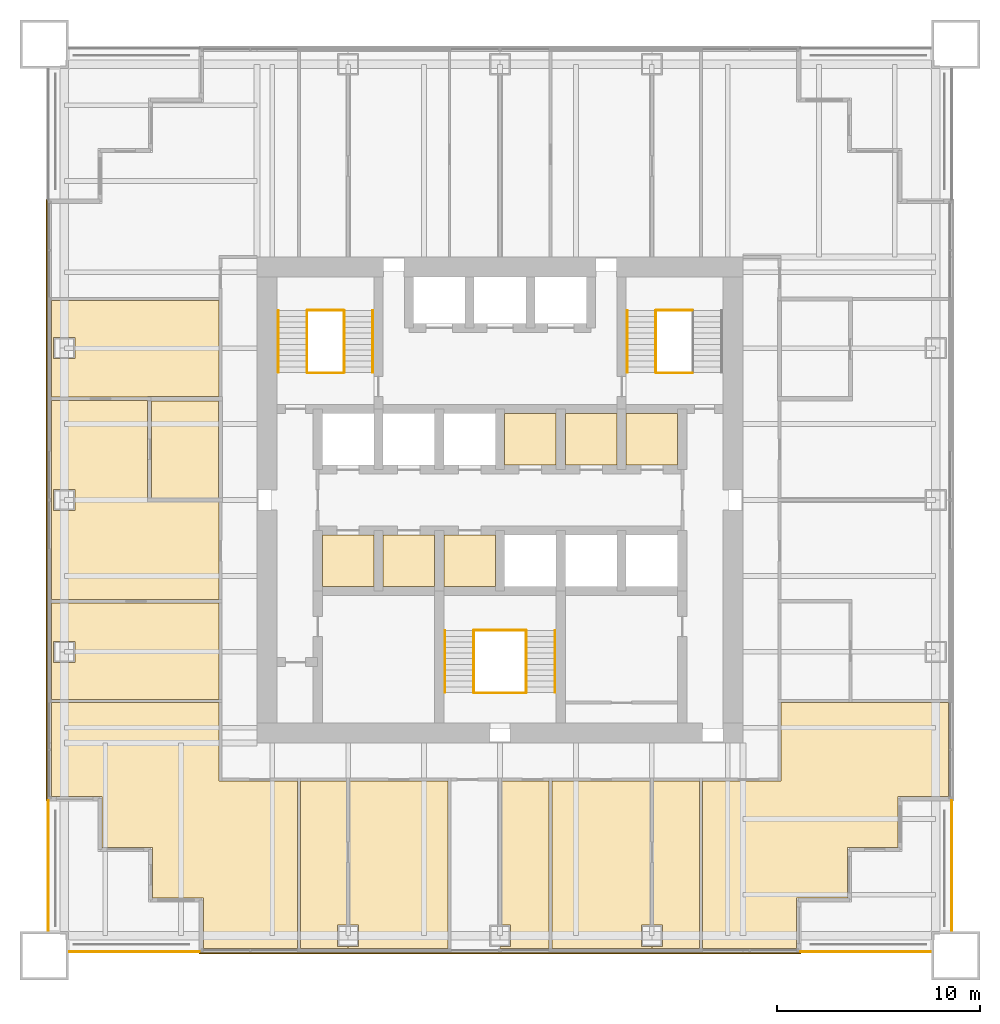
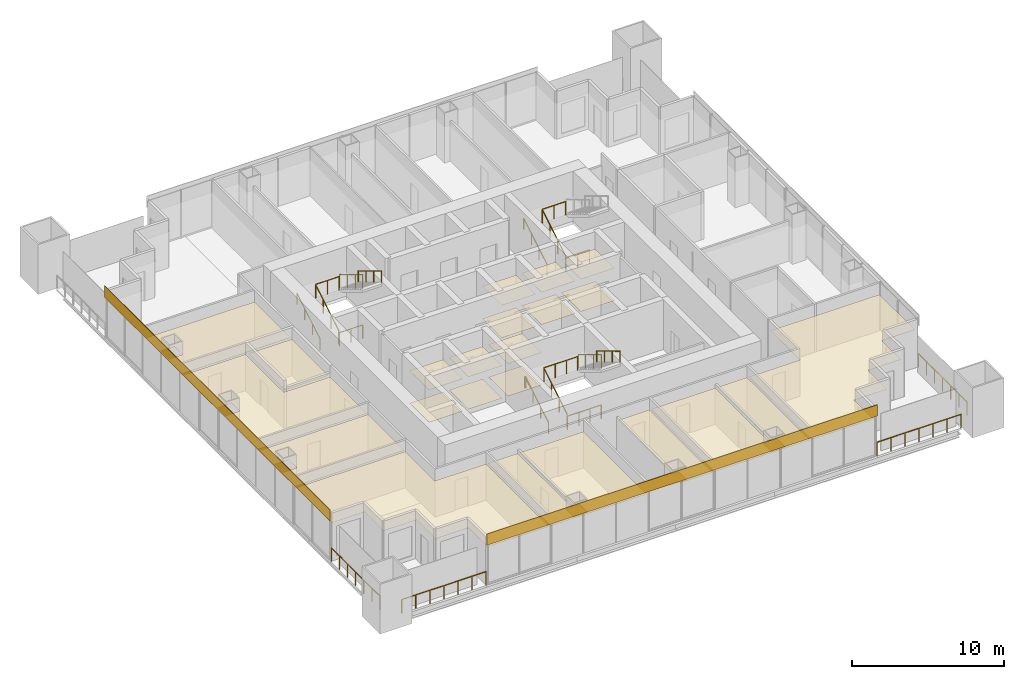
# One storey, part 12 of 13: 25 coverings, 20 railings.
"""IFC4 building model written with IfcOpenShell, lengths in metres."""

from ifc_helpers import new_model, si_unit, direction, frame, origin, origin_2d, place, context, subcontext, project, spatial, polyline, rectangle, circle, outline, extrude, material, layer, layer_set, type_object, element, save


model = new_model("IFC4")

# Units and contexts
model_context = context("Model", 3, precision=1e-05, world=origin(), true_north=direction((0.0, 1.0)))
body_context = subcontext(model_context, "Body", "Model", "MODEL_VIEW")
ifc_project = project(units=[si_unit("LENGTHUNIT", "METRE"), si_unit("AREAUNIT", "SQUARE_METRE"), si_unit("VOLUMEUNIT", "CUBIC_METRE"), si_unit("PLANEANGLEUNIT", "RADIAN"), si_unit("MASSUNIT", "GRAM", prefix="KILO")], contexts=[model_context])

# Site, building, storey
site_placement = place(None, origin())
site = spatial("IfcSite", under=ifc_project, at=site_placement, CompositionType="ELEMENT")
building_placement = place(site_placement, origin())
building = spatial("IfcBuilding", under=site, at=building_placement, Name="Tarangal Relay Tower", CompositionType="ELEMENT")
storey_placement = place(building_placement, frame((0.0, 0.0, 189.89990234375)))
storey = spatial("IfcBuildingStorey", under=building, at=storey_placement, Name="L39", CompositionType="ELEMENT", Elevation=189.89990234375)

# Coverings
ifc_material_1 = material(Name="Anti-static vinyl flooring", Category="plastic")
ifc_layer_1 = layer(ifc_material_1, 0.010009765625)
ifc_layer_set_1 = layer_set([ifc_layer_1], Name="Anti-static vinyl floor")
covering_type_1 = type_object("IfcCoveringType", Name="Anti-static vinyl floor", PredefinedType="FLOORING", material=ifc_layer_set_1)
covering_1_placement = place(storey_placement, origin())
element("IfcCovering", 1, at=covering_1_placement, inside=storey, type_object=covering_type_1, Name="Floor finish FL1 L39-T1", PredefinedType="FLOORING", context=body_context, shape_type="SweptSolid", body=[
    extrude(outline(polyline([(0.22509765625, 1.72509765625), (2.77490234375, 1.72509765625), (2.77490234375, 4.27490234375), (0.22509765625, 4.27490234375), (0.22509765625, 1.72509765625)])), origin(), (0.0, 0.0, 1.0), 0.010009765625),
])
covering_2_placement = place(storey_placement, origin())
element("IfcCovering", 2, at=covering_2_placement, inside=storey, type_object=covering_type_1, Name="Floor finish FL1 L39-T2", PredefinedType="FLOORING", context=body_context, shape_type="SweptSolid", body=[
    extrude(outline(polyline([(3.22509765625, 1.72509765625), (5.77490234375, 1.72509765625), (5.77490234375, 4.27490234375), (3.22509765625, 4.27490234375), (3.22509765625, 1.72509765625)])), origin(), (0.0, 0.0, 1.0), 0.010009765625),
])
covering_3_placement = place(storey_placement, origin())
element("IfcCovering", 3, at=covering_3_placement, inside=storey, type_object=covering_type_1, Name="Floor finish FL1 L39-T3", PredefinedType="FLOORING", context=body_context, shape_type="SweptSolid", body=[
    extrude(outline(polyline([(6.22509765625, 1.72509765625), (8.77490234375, 1.72509765625), (8.77490234375, 4.27490234375), (6.22509765625, 4.27490234375), (6.22509765625, 1.72509765625)])), origin(), (0.0, 0.0, 1.0), 0.010009765625),
])
covering_4_placement = place(storey_placement, origin())
element("IfcCovering", 4, at=covering_4_placement, inside=storey, type_object=covering_type_1, Name="Floor finish FL1 L39-S1", PredefinedType="FLOORING", context=body_context, shape_type="SweptSolid", body=[
    extrude(outline(polyline([(-8.77490234375, -4.27490234375), (-6.22509765625, -4.27490234375), (-6.22509765625, -1.72509765625), (-8.77490234375, -1.72509765625), (-8.77490234375, -4.27490234375)])), origin(), (0.0, 0.0, 1.0), 0.010009765625),
])
covering_5_placement = place(storey_placement, origin())
element("IfcCovering", 5, at=covering_5_placement, inside=storey, type_object=covering_type_1, Name="Floor finish FL1 L39-S2", PredefinedType="FLOORING", context=body_context, shape_type="SweptSolid", body=[
    extrude(outline(polyline([(-5.77490234375, -4.27490234375), (-3.22509765625, -4.27490234375), (-3.22509765625, -1.72509765625), (-5.77490234375, -1.72509765625), (-5.77490234375, -4.27490234375)])), origin(), (0.0, 0.0, 1.0), 0.010009765625),
])
covering_6_placement = place(storey_placement, origin())
element("IfcCovering", 6, at=covering_6_placement, inside=storey, type_object=covering_type_1, Name="Floor finish FL1 L39-S3", PredefinedType="FLOORING", context=body_context, shape_type="SweptSolid", body=[
    extrude(outline(polyline([(-2.77490234375, -4.27490234375), (-0.22509765625, -4.27490234375), (-0.22509765625, -1.72509765625), (-2.77490234375, -1.72509765625), (-2.77490234375, -4.27490234375)])), origin(), (0.0, 0.0, 1.0), 0.010009765625),
])
ifc_material_2 = material(Name="Black anodised aluminium cladding", Category="aluminium")
ifc_layer_2 = layer(ifc_material_2, 0.050048828125)
ifc_layer_set_2 = layer_set([ifc_layer_2], Name="Black metal spandrel band")
covering_type_2 = type_object("IfcCoveringType", Name="Black metal spandrel band", PredefinedType="CLADDING", material=ifc_layer_set_2)
for number, where, z_axis, x_axis, name in (
    (7, (0.0, -22.375, 3.250244140625), (0.0, 0.0, 1.0), (-1.0, 0.0, 0.0), "Spandrel band SB1 S L39"),
    (8, (-22.375, 0.0, 3.250244140625), (0.0, 0.0, 1.0), (0.0, 1.0, 0.0), "Spandrel band SB1 W L39"),
):
    element("IfcCovering", number, at=place(storey_placement, frame(where, z_axis=z_axis, x_axis=x_axis)), inside=storey, type_object=covering_type_2, Name=name, PredefinedType="CLADDING", context=body_context, shape_type="SweptSolid", body=[
        extrude(rectangle(XDim=29.699951171875, YDim=0.050048828125, at=origin_2d()), origin(), (0.0, 0.0, 1.0), 0.89990234375),
    ])

# Railings
ifc_material_3 = material(Name="Steel guard, black finish", Category="steel")
railing_type_1 = type_object("IfcRailingType", Name="Stair guard 1100", PredefinedType="GUARDRAIL", material=ifc_material_3)
railing_1_placement = place(storey_placement, frame((-9.530029296875, 6.300048828125, 0.166748046875)))
element("IfcRailing", 9, at=railing_1_placement, inside=storey, type_object=railing_type_1, Name="Stair ST-A guard GR1 L39 flight 1", PredefinedType="GUARDRAIL", context=body_context, shape_type="SweptSolid", body=[
    extrude(circle(Radius=0.02392578125, at=origin_2d()), frame((0.0, 0.0, 1.076171875), z_axis=(0.0, 0.85685617095, 0.515555527858), x_axis=(-1.0, 0.0, 0.0)), (0.0, 0.0, 1.0), 3.555908203125),
    extrude(circle(Radius=0.02099609375, at=origin_2d()), origin(), (0.0, 0.0, 1.0), 1.052001953125),
    extrude(circle(Radius=0.02099609375, at=origin_2d()), frame((0.0, 1.015625, 0.611083984375)), (0.0, 0.0, 1.0), 1.052001953125),
    extrude(circle(Radius=0.02099609375, at=origin_2d()), frame((0.0, 2.03125, 1.22216796875)), (0.0, 0.0, 1.0), 1.052001953125),
    extrude(circle(Radius=0.02099609375, at=origin_2d()), frame((0.0, 3.046875, 1.833251953125)), (0.0, 0.0, 1.0), 1.052001953125),
])
railing_2_placement = place(storey_placement, frame((-7.695068359375, 9.346923828125, 2.166748046875)))
element("IfcRailing", 10, at=railing_2_placement, inside=storey, type_object=railing_type_1, Name="Stair ST-A guard GR1 L39 flight 2", PredefinedType="GUARDRAIL", context=body_context, shape_type="SweptSolid", body=[
    extrude(circle(Radius=0.02392578125, at=origin_2d()), frame((0.0, 0.0, 1.076171875), z_axis=(0.0, -0.85685617095, 0.515555527858), x_axis=(1.0, 0.0, 0.0)), (0.0, 0.0, 1.0), 3.555908203125),
    extrude(circle(Radius=0.02099609375, at=origin_2d()), origin(), (0.0, 0.0, 1.0), 1.052001953125),
    extrude(circle(Radius=0.02099609375, at=origin_2d()), frame((0.0, -1.015625, 0.611083984375)), (0.0, 0.0, 1.0), 1.052001953125),
    extrude(circle(Radius=0.02099609375, at=origin_2d()), frame((0.0, -2.03125, 1.22216796875)), (0.0, 0.0, 1.0), 1.052001953125),
    extrude(circle(Radius=0.02099609375, at=origin_2d()), frame((0.0, -3.046875, 1.833251953125)), (0.0, 0.0, 1.0), 1.052001953125),
])
for number, where, name in (
    (11, (-9.5, 6.27001953125, 0.0), "Stair ST-A landing guard GR1 L39"),
    (12, (-9.5, 9.376953125, 2.0), "Stair ST-A landing guard GR1 L39"),
):
    element("IfcRailing", number, at=place(storey_placement, frame(where)), inside=storey, type_object=railing_type_1, Name=name, PredefinedType="GUARDRAIL", context=body_context, shape_type="SweptSolid", body=[
        extrude(circle(Radius=0.02392578125, at=origin_2d()), frame((0.0, 0.0, 1.076171875), z_axis=(1.0, 0.0, 0.0), x_axis=(0.0, 1.0, 0.0)), (0.0, 0.0, 1.0), 1.77490234375),
        extrude(circle(Radius=0.02099609375, at=origin_2d()), origin(), (0.0, 0.0, 1.0), 1.052001953125),
        extrude(circle(Radius=0.02099609375, at=origin_2d()), frame((0.887451171875, 0.0, 0.0)), (0.0, 0.0, 1.0), 1.052001953125),
        extrude(circle(Radius=0.02099609375, at=origin_2d()), frame((1.77490234375, 0.0, 0.0)), (0.0, 0.0, 1.0), 1.052001953125),
    ])
railing_3_placement = place(storey_placement, frame((7.695068359375, 6.300048828125, 0.166748046875)))
element("IfcRailing", 13, at=railing_3_placement, inside=storey, type_object=railing_type_1, Name="Stair ST-B guard GR1 L39 flight 1", PredefinedType="GUARDRAIL", context=body_context, shape_type="SweptSolid", body=[
    extrude(circle(Radius=0.02392578125, at=origin_2d()), frame((0.0, 0.0, 1.076171875), z_axis=(0.0, 0.85685617095, 0.515555527858), x_axis=(-1.0, 0.0, 0.0)), (0.0, 0.0, 1.0), 3.555908203125),
    extrude(circle(Radius=0.02099609375, at=origin_2d()), origin(), (0.0, 0.0, 1.0), 1.052001953125),
    extrude(circle(Radius=0.02099609375, at=origin_2d()), frame((0.0, 1.015625, 0.611083984375)), (0.0, 0.0, 1.0), 1.052001953125),
    extrude(circle(Radius=0.02099609375, at=origin_2d()), frame((0.0, 2.03125, 1.22216796875)), (0.0, 0.0, 1.0), 1.052001953125),
    extrude(circle(Radius=0.02099609375, at=origin_2d()), frame((0.0, 3.046875, 1.833251953125)), (0.0, 0.0, 1.0), 1.052001953125),
])
for number, where, name in (
    (14, (7.72509765625, 6.27001953125, 0.0), "Stair ST-B landing guard GR1 L39"),
    (15, (7.72509765625, 9.376953125, 2.0), "Stair ST-B landing guard GR1 L39"),
):
    element("IfcRailing", number, at=place(storey_placement, frame(where)), inside=storey, type_object=railing_type_1, Name=name, PredefinedType="GUARDRAIL", context=body_context, shape_type="SweptSolid", body=[
        extrude(circle(Radius=0.02392578125, at=origin_2d()), frame((0.0, 0.0, 1.076171875), z_axis=(1.0, 0.0, 0.0), x_axis=(0.0, 1.0, 0.0)), (0.0, 0.0, 1.0), 1.77490234375),
        extrude(circle(Radius=0.02099609375, at=origin_2d()), origin(), (0.0, 0.0, 1.0), 1.052001953125),
        extrude(circle(Radius=0.02099609375, at=origin_2d()), frame((0.887451171875, 0.0, 0.0)), (0.0, 0.0, 1.0), 1.052001953125),
        extrude(circle(Radius=0.02099609375, at=origin_2d()), frame((1.77490234375, 0.0, 0.0)), (0.0, 0.0, 1.0), 1.052001953125),
    ])
railing_4_placement = place(storey_placement, frame((-1.304931640625, -9.5, 0.166748046875)))
element("IfcRailing", 16, at=railing_4_placement, inside=storey, type_object=railing_type_1, Name="Stair ST-C guard GR1 L39 flight 1", PredefinedType="GUARDRAIL", context=body_context, shape_type="SweptSolid", body=[
    extrude(circle(Radius=0.02392578125, at=origin_2d()), frame((0.0, 0.0, 1.076171875), z_axis=(0.0, 0.856874418557, 0.515525199018), x_axis=(-1.0, 0.0, 0.0)), (0.0, 0.0, 1.0), 3.55615234375),
    extrude(circle(Radius=0.02099609375, at=origin_2d()), origin(), (0.0, 0.0, 1.0), 1.052001953125),
    extrude(circle(Radius=0.02099609375, at=origin_2d()), frame((0.0, 1.015625, 0.611083984375)), (0.0, 0.0, 1.0), 1.052001953125),
    extrude(circle(Radius=0.02099609375, at=origin_2d()), frame((0.0, 2.031494140625, 1.22216796875)), (0.0, 0.0, 1.0), 1.052001953125),
    extrude(circle(Radius=0.02099609375, at=origin_2d()), frame((0.0, 3.047119140625, 1.833251953125)), (0.0, 0.0, 1.0), 1.052001953125),
])
railing_5_placement = place(storey_placement, frame((1.304931640625, -6.452880859375, 2.166748046875)))
element("IfcRailing", 17, at=railing_5_placement, inside=storey, type_object=railing_type_1, Name="Stair ST-C guard GR1 L39 flight 2", PredefinedType="GUARDRAIL", context=body_context, shape_type="SweptSolid", body=[
    extrude(circle(Radius=0.02392578125, at=origin_2d()), frame((0.0, 0.0, 1.076171875), z_axis=(0.0, -0.856874418557, 0.515525199018), x_axis=(1.0, 0.0, 0.0)), (0.0, 0.0, 1.0), 3.55615234375),
    extrude(circle(Radius=0.02099609375, at=origin_2d()), origin(), (0.0, 0.0, 1.0), 1.052001953125),
    extrude(circle(Radius=0.02099609375, at=origin_2d()), frame((0.0, -1.015625, 0.611083984375)), (0.0, 0.0, 1.0), 1.052001953125),
    extrude(circle(Radius=0.02099609375, at=origin_2d()), frame((0.0, -2.031494140625, 1.22216796875)), (0.0, 0.0, 1.0), 1.052001953125),
    extrude(circle(Radius=0.02099609375, at=origin_2d()), frame((0.0, -3.047119140625, 1.833251953125)), (0.0, 0.0, 1.0), 1.052001953125),
])
for number, where, name in (
    (18, (-1.27490234375, -9.530029296875, 0.0), "Stair ST-C landing guard GR1 L39"),
    (19, (-1.27490234375, -6.423095703125, 2.0), "Stair ST-C landing guard GR1 L39"),
):
    element("IfcRailing", number, at=place(storey_placement, frame(where)), inside=storey, type_object=railing_type_1, Name=name, PredefinedType="GUARDRAIL", context=body_context, shape_type="SweptSolid", body=[
        extrude(circle(Radius=0.02392578125, at=origin_2d()), frame((0.0, 0.0, 1.076171875), z_axis=(1.0, 0.0, 0.0), x_axis=(0.0, 1.0, 0.0)), (0.0, 0.0, 1.0), 2.5498046875),
        extrude(circle(Radius=0.02099609375, at=origin_2d()), origin(), (0.0, 0.0, 1.0), 1.052001953125),
        extrude(circle(Radius=0.02099609375, at=origin_2d()), frame((0.849853515625, 0.0, 0.0)), (0.0, 0.0, 1.0), 1.052001953125),
        extrude(circle(Radius=0.02099609375, at=origin_2d()), frame((1.699951171875, 0.0, 0.0)), (0.0, 0.0, 1.0), 1.052001953125),
        extrude(circle(Radius=0.02099609375, at=origin_2d()), frame((2.5498046875, 0.0, 0.0)), (0.0, 0.0, 1.0), 1.052001953125),
    ])
ifc_material_4 = material(Name="Steel handrail, black finish", Category="steel")
railing_type_2 = type_object("IfcRailingType", Name="Stair handrail 900", PredefinedType="HANDRAIL", material=ifc_material_4)
railing_6_placement = place(storey_placement, frame((-10.93994140625, 6.300048828125, 0.166748046875)))
element("IfcRailing", 20, at=railing_6_placement, inside=storey, type_object=railing_type_2, Name="Stair ST-A handrail HR1 L39 flight 1", PredefinedType="HANDRAIL", context=body_context, shape_type="SweptSolid", body=[
    extrude(circle(Radius=0.02392578125, at=origin_2d()), frame((0.0, 0.0, 0.8759765625), z_axis=(0.0, 0.85685617095, 0.515555527858), x_axis=(-1.0, 0.0, 0.0)), (0.0, 0.0, 1.0), 3.555908203125),
    extrude(circle(Radius=0.02099609375, at=origin_2d()), origin(), (0.0, 0.0, 1.0), 0.851806640625),
    extrude(circle(Radius=0.02099609375, at=origin_2d()), frame((0.0, 1.015625, 0.611083984375)), (0.0, 0.0, 1.0), 0.851806640625),
    extrude(circle(Radius=0.02099609375, at=origin_2d()), frame((0.0, 2.03125, 1.22216796875)), (0.0, 0.0, 1.0), 0.851806640625),
    extrude(circle(Radius=0.02099609375, at=origin_2d()), frame((0.0, 3.046875, 1.833251953125)), (0.0, 0.0, 1.0), 0.851806640625),
])
railing_7_placement = place(storey_placement, frame((-6.284912109375, 9.346923828125, 2.166748046875)))
element("IfcRailing", 21, at=railing_7_placement, inside=storey, type_object=railing_type_2, Name="Stair ST-A handrail HR1 L39 flight 2", PredefinedType="HANDRAIL", context=body_context, shape_type="SweptSolid", body=[
    extrude(circle(Radius=0.02392578125, at=origin_2d()), frame((0.0, 0.0, 0.8759765625), z_axis=(0.0, -0.85685617095, 0.515555527858), x_axis=(1.0, 0.0, 0.0)), (0.0, 0.0, 1.0), 3.555908203125),
    extrude(circle(Radius=0.02099609375, at=origin_2d()), origin(), (0.0, 0.0, 1.0), 0.851806640625),
    extrude(circle(Radius=0.02099609375, at=origin_2d()), frame((0.0, -1.015625, 0.611083984375)), (0.0, 0.0, 1.0), 0.851806640625),
    extrude(circle(Radius=0.02099609375, at=origin_2d()), frame((0.0, -2.03125, 1.22216796875)), (0.0, 0.0, 1.0), 0.851806640625),
    extrude(circle(Radius=0.02099609375, at=origin_2d()), frame((0.0, -3.046875, 1.833251953125)), (0.0, 0.0, 1.0), 0.851806640625),
])
railing_8_placement = place(storey_placement, frame((6.284912109375, 6.300048828125, 0.166748046875)))
element("IfcRailing", 22, at=railing_8_placement, inside=storey, type_object=railing_type_2, Name="Stair ST-B handrail HR1 L39 flight 1", PredefinedType="HANDRAIL", context=body_context, shape_type="SweptSolid", body=[
    extrude(circle(Radius=0.02392578125, at=origin_2d()), frame((0.0, 0.0, 0.8759765625), z_axis=(0.0, 0.85685617095, 0.515555527858), x_axis=(-1.0, 0.0, 0.0)), (0.0, 0.0, 1.0), 3.555908203125),
    extrude(circle(Radius=0.02099609375, at=origin_2d()), origin(), (0.0, 0.0, 1.0), 0.851806640625),
    extrude(circle(Radius=0.02099609375, at=origin_2d()), frame((0.0, 1.015625, 0.611083984375)), (0.0, 0.0, 1.0), 0.851806640625),
    extrude(circle(Radius=0.02099609375, at=origin_2d()), frame((0.0, 2.03125, 1.22216796875)), (0.0, 0.0, 1.0), 0.851806640625),
    extrude(circle(Radius=0.02099609375, at=origin_2d()), frame((0.0, 3.046875, 1.833251953125)), (0.0, 0.0, 1.0), 0.851806640625),
])
railing_9_placement = place(storey_placement, frame((-2.715087890625, -9.5, 0.166748046875)))
element("IfcRailing", 23, at=railing_9_placement, inside=storey, type_object=railing_type_2, Name="Stair ST-C handrail HR1 L39 flight 1", PredefinedType="HANDRAIL", context=body_context, shape_type="SweptSolid", body=[
    extrude(circle(Radius=0.02392578125, at=origin_2d()), frame((0.0, 0.0, 0.8759765625), z_axis=(0.0, 0.856874418557, 0.515525199018), x_axis=(-1.0, 0.0, 0.0)), (0.0, 0.0, 1.0), 3.55615234375),
    extrude(circle(Radius=0.02099609375, at=origin_2d()), origin(), (0.0, 0.0, 1.0), 0.851806640625),
    extrude(circle(Radius=0.02099609375, at=origin_2d()), frame((0.0, 1.015625, 0.611083984375)), (0.0, 0.0, 1.0), 0.851806640625),
    extrude(circle(Radius=0.02099609375, at=origin_2d()), frame((0.0, 2.031494140625, 1.22216796875)), (0.0, 0.0, 1.0), 0.851806640625),
    extrude(circle(Radius=0.02099609375, at=origin_2d()), frame((0.0, 3.047119140625, 1.833251953125)), (0.0, 0.0, 1.0), 0.851806640625),
])
railing_10_placement = place(storey_placement, frame((2.715087890625, -6.452880859375, 2.166748046875)))
element("IfcRailing", 24, at=railing_10_placement, inside=storey, type_object=railing_type_2, Name="Stair ST-C handrail HR1 L39 flight 2", PredefinedType="HANDRAIL", context=body_context, shape_type="SweptSolid", body=[
    extrude(circle(Radius=0.02392578125, at=origin_2d()), frame((0.0, 0.0, 0.8759765625), z_axis=(0.0, -0.856874418557, 0.515525199018), x_axis=(1.0, 0.0, 0.0)), (0.0, 0.0, 1.0), 3.55615234375),
    extrude(circle(Radius=0.02099609375, at=origin_2d()), origin(), (0.0, 0.0, 1.0), 0.851806640625),
    extrude(circle(Radius=0.02099609375, at=origin_2d()), frame((0.0, -1.015625, 0.611083984375)), (0.0, 0.0, 1.0), 0.851806640625),
    extrude(circle(Radius=0.02099609375, at=origin_2d()), frame((0.0, -2.031494140625, 1.22216796875)), (0.0, 0.0, 1.0), 0.851806640625),
    extrude(circle(Radius=0.02099609375, at=origin_2d()), frame((0.0, -3.047119140625, 1.833251953125)), (0.0, 0.0, 1.0), 0.851806640625),
])

# Coverings
ifc_material_5 = material(Name="Mineral fibre ceiling tiles", Category="gypsum")
ifc_layer_3 = layer(ifc_material_5, 0.02001953125)
ifc_layer_set_3 = layer_set([ifc_layer_3], Name="Suspended ceiling")
covering_type_3 = type_object("IfcCoveringType", Name="Suspended ceiling", PredefinedType="CEILING", material=ifc_layer_set_3)
covering_7_placement = place(storey_placement, frame((0.0, 0.0, 2.60009765625)))
element("IfcCovering", 25, at=covering_7_placement, inside=storey, type_object=covering_type_3, Name="Suspended ceiling CL1 L39-T1", PredefinedType="CEILING", context=body_context, shape_type="SweptSolid", body=[
    extrude(outline(polyline([(0.22509765625, 1.72509765625), (2.77490234375, 1.72509765625), (2.77490234375, 4.27490234375), (0.22509765625, 4.27490234375), (0.22509765625, 1.72509765625)])), origin(), (0.0, 0.0, 1.0), 0.02001953125),
])
covering_8_placement = place(storey_placement, frame((0.0, 0.0, 2.60009765625)))
element("IfcCovering", 26, at=covering_8_placement, inside=storey, type_object=covering_type_3, Name="Suspended ceiling CL1 L39-T2", PredefinedType="CEILING", context=body_context, shape_type="SweptSolid", body=[
    extrude(outline(polyline([(3.22509765625, 1.72509765625), (5.77490234375, 1.72509765625), (5.77490234375, 4.27490234375), (3.22509765625, 4.27490234375), (3.22509765625, 1.72509765625)])), origin(), (0.0, 0.0, 1.0), 0.02001953125),
])
covering_9_placement = place(storey_placement, frame((0.0, 0.0, 2.60009765625)))
element("IfcCovering", 27, at=covering_9_placement, inside=storey, type_object=covering_type_3, Name="Suspended ceiling CL1 L39-T3", PredefinedType="CEILING", context=body_context, shape_type="SweptSolid", body=[
    extrude(outline(polyline([(6.22509765625, 1.72509765625), (8.77490234375, 1.72509765625), (8.77490234375, 4.27490234375), (6.22509765625, 4.27490234375), (6.22509765625, 1.72509765625)])), origin(), (0.0, 0.0, 1.0), 0.02001953125),
])
covering_10_placement = place(storey_placement, frame((0.0, 0.0, 2.60009765625)))
element("IfcCovering", 28, at=covering_10_placement, inside=storey, type_object=covering_type_3, Name="Suspended ceiling CL1 L39-S1", PredefinedType="CEILING", context=body_context, shape_type="SweptSolid", body=[
    extrude(outline(polyline([(-8.77490234375, -4.27490234375), (-6.22509765625, -4.27490234375), (-6.22509765625, -1.72509765625), (-8.77490234375, -1.72509765625), (-8.77490234375, -4.27490234375)])), origin(), (0.0, 0.0, 1.0), 0.02001953125),
])
covering_11_placement = place(storey_placement, frame((0.0, 0.0, 2.60009765625)))
element("IfcCovering", 29, at=covering_11_placement, inside=storey, type_object=covering_type_3, Name="Suspended ceiling CL1 L39-S2", PredefinedType="CEILING", context=body_context, shape_type="SweptSolid", body=[
    extrude(outline(polyline([(-5.77490234375, -4.27490234375), (-3.22509765625, -4.27490234375), (-3.22509765625, -1.72509765625), (-5.77490234375, -1.72509765625), (-5.77490234375, -4.27490234375)])), origin(), (0.0, 0.0, 1.0), 0.02001953125),
])
covering_12_placement = place(storey_placement, frame((0.0, 0.0, 2.60009765625)))
element("IfcCovering", 30, at=covering_12_placement, inside=storey, type_object=covering_type_3, Name="Suspended ceiling CL1 L39-S3", PredefinedType="CEILING", context=body_context, shape_type="SweptSolid", body=[
    extrude(outline(polyline([(-2.77490234375, -4.27490234375), (-0.22509765625, -4.27490234375), (-0.22509765625, -1.72509765625), (-2.77490234375, -1.72509765625), (-2.77490234375, -4.27490234375)])), origin(), (0.0, 0.0, 1.0), 0.02001953125),
])
covering_13_placement = place(storey_placement, frame((0.0, 0.0, 2.900146484375)))
element("IfcCovering", 31, at=covering_13_placement, inside=storey, type_object=covering_type_3, Name="Suspended ceiling CL1 L39-12", PredefinedType="CEILING", context=body_context, shape_type="SweptSolid", body=[
    extrude(outline(polyline([(7.5, -22.14990234375), (9.842041015625, -22.14990234375), (9.842041015625, -13.875), (7.574951171875, -13.875), (7.574951171875, -20.989990234375), (8.02490234375, -20.989990234375), (8.02490234375, -22.0400390625), (7.5, -22.0400390625), (7.5, -22.14990234375)])), origin(), (0.0, 0.0, 1.0), 0.02001953125),
])
covering_14_placement = place(storey_placement, frame((0.0, 0.0, 2.900146484375)))
element("IfcCovering", 32, at=covering_14_placement, inside=storey, type_object=covering_type_3, Name="Suspended ceiling CL1 L39-13", PredefinedType="CEILING", context=body_context, shape_type="SweptSolid", body=[
    extrude(outline(polyline([(2.574951171875, -22.14990234375), (7.5, -22.14990234375), (7.5, -22.0400390625), (6.97509765625, -22.0400390625), (6.97509765625, -20.989990234375), (7.425048828125, -20.989990234375), (7.425048828125, -13.875), (2.574951171875, -13.875), (2.574951171875, -22.14990234375)])), origin(), (0.0, 0.0, 1.0), 0.02001953125),
])
covering_15_placement = place(storey_placement, frame((0.0, 0.0, 2.900146484375)))
element("IfcCovering", 33, at=covering_15_placement, inside=storey, type_object=covering_type_3, Name="Suspended ceiling CL1 L39-14", PredefinedType="CEILING", context=body_context, shape_type="SweptSolid", body=[
    extrude(outline(polyline([(0.0, -22.14990234375), (2.425048828125, -22.14990234375), (2.425048828125, -13.875), (0.074951171875, -13.875), (0.074951171875, -20.989990234375), (0.52490234375, -20.989990234375), (0.52490234375, -22.0400390625), (0.0, -22.0400390625), (0.0, -22.14990234375)])), origin(), (0.0, 0.0, 1.0), 0.02001953125),
])
covering_16_placement = place(storey_placement, frame((0.0, 0.0, 2.900146484375)))
element("IfcCovering", 34, at=covering_16_placement, inside=storey, type_object=covering_type_3, Name="Suspended ceiling CL1 L39-16", PredefinedType="CEILING", context=body_context, shape_type="SweptSolid", body=[
    extrude(outline(polyline([(-7.5, -22.14990234375), (-2.574951171875, -22.14990234375), (-2.574951171875, -13.875), (-7.425048828125, -13.875), (-7.425048828125, -20.989990234375), (-6.97509765625, -20.989990234375), (-6.97509765625, -22.0400390625), (-7.5, -22.0400390625), (-7.5, -22.14990234375)])), origin(), (0.0, 0.0, 1.0), 0.02001953125),
])
covering_17_placement = place(storey_placement, frame((0.0, 0.0, 2.900146484375)))
element("IfcCovering", 35, at=covering_17_placement, inside=storey, type_object=covering_type_3, Name="Suspended ceiling CL1 L39-17", PredefinedType="CEILING", context=body_context, shape_type="SweptSolid", body=[
    extrude(outline(polyline([(-9.842041015625, -22.14990234375), (-7.5, -22.14990234375), (-7.5, -22.0400390625), (-8.02490234375, -22.0400390625), (-8.02490234375, -20.989990234375), (-7.574951171875, -20.989990234375), (-7.574951171875, -13.875), (-9.842041015625, -13.875), (-9.842041015625, -22.14990234375)])), origin(), (0.0, 0.0, 1.0), 0.02001953125),
])
covering_18_placement = place(storey_placement, frame((0.0, 0.0, 2.900146484375)))
element("IfcCovering", 36, at=covering_18_placement, inside=storey, type_object=covering_type_3, Name="Suspended ceiling CL1 L39-18", PredefinedType="CEILING", context=body_context, shape_type="SweptSolid", body=[
    extrude(outline(polyline([(-22.14990234375, -5.074951171875), (-22.14990234375, -9.842041015625), (-13.875, -9.842041015625), (-13.875, -5.074951171875), (-22.14990234375, -5.074951171875)]), holes=[polyline([(-20.989990234375, -6.97509765625), (-22.0400390625, -6.97509765625), (-22.0400390625, -8.02490234375), (-20.989990234375, -8.02490234375), (-20.989990234375, -6.97509765625)])]), origin(), (0.0, 0.0, 1.0), 0.02001953125),
])
covering_19_placement = place(storey_placement, frame((0.0, 0.0, 2.900146484375)))
element("IfcCovering", 37, at=covering_19_placement, inside=storey, type_object=covering_type_3, Name="Suspended ceiling CL1 L39-19", PredefinedType="CEILING", context=body_context, shape_type="SweptSolid", body=[
    extrude(outline(polyline([(-22.14990234375, 4.925048828125), (-22.14990234375, -4.925048828125), (-13.875, -4.925048828125), (-13.875, -0.10009765625), (-17.39990234375, -0.10009765625), (-17.39990234375, 4.925048828125), (-22.14990234375, 4.925048828125)]), holes=[polyline([(-20.989990234375, 0.52490234375), (-22.0400390625, 0.52490234375), (-22.0400390625, -0.52490234375), (-20.989990234375, -0.52490234375), (-20.989990234375, 0.52490234375)])]), origin(), (0.0, 0.0, 1.0), 0.02001953125),
])
covering_20_placement = place(storey_placement, frame((0.0, 0.0, 2.900146484375)))
element("IfcCovering", 38, at=covering_20_placement, inside=storey, type_object=covering_type_3, Name="Suspended ceiling CL1 L39-20", PredefinedType="CEILING", context=body_context, shape_type="SweptSolid", body=[
    extrude(outline(polyline([(-13.89990234375, 4.89990234375), (-17.199951171875, 4.89990234375), (-17.199951171875, 0.10009765625), (-13.89990234375, 0.10009765625), (-13.89990234375, 4.89990234375)])), origin(), (0.0, 0.0, 1.0), 0.02001953125),
])
covering_21_placement = place(storey_placement, frame((0.0, 0.0, 2.900146484375)))
element("IfcCovering", 39, at=covering_21_placement, inside=storey, type_object=covering_type_3, Name="Suspended ceiling CL1 L39-21", PredefinedType="CEILING", context=body_context, shape_type="SweptSolid", body=[
    extrude(outline(polyline([(-22.14990234375, 9.842041015625), (-22.14990234375, 5.074951171875), (-17.39990234375, 5.074951171875), (-17.39990234375, 5.10009765625), (-13.875, 5.10009765625), (-13.875, 9.842041015625), (-22.14990234375, 9.842041015625)]), holes=[polyline([(-20.989990234375, 8.02490234375), (-22.0400390625, 8.02490234375), (-22.0400390625, 6.97509765625), (-20.989990234375, 6.97509765625), (-20.989990234375, 8.02490234375)])]), origin(), (0.0, 0.0, 1.0), 0.02001953125),
])
covering_22_placement = place(storey_placement, frame((0.0, 0.0, 2.900146484375)))
element("IfcCovering", 40, at=covering_22_placement, inside=storey, type_object=covering_type_3, Name="Suspended ceiling CL1 L39-23", PredefinedType="CEILING", context=body_context, shape_type="SweptSolid", body=[
    extrude(outline(polyline([(22.14990234375, -9.991943359375), (13.875, -9.991943359375), (13.875, -13.875), (9.991943359375, -13.875), (9.991943359375, -22.14990234375), (14.64990234375, -22.14990234375), (14.64990234375, -19.64990234375), (17.14990234375, -19.64990234375), (17.14990234375, -17.14990234375), (19.64990234375, -17.14990234375), (19.64990234375, -14.64990234375), (22.14990234375, -14.64990234375), (22.14990234375, -9.991943359375)])), origin(), (0.0, 0.0, 1.0), 0.02001953125),
])
covering_23_placement = place(storey_placement, frame((0.0, 0.0, 2.900146484375)))
element("IfcCovering", 41, at=covering_23_placement, inside=storey, type_object=covering_type_3, Name="Suspended ceiling CL1 L39-24", PredefinedType="CEILING", context=body_context, shape_type="SweptSolid", body=[
    extrude(outline(polyline([(-14.64990234375, -19.64990234375), (-14.64990234375, -22.14990234375), (-9.991943359375, -22.14990234375), (-9.991943359375, -13.875), (-13.875, -13.875), (-13.875, -9.991943359375), (-22.14990234375, -9.991943359375), (-22.14990234375, -14.64990234375), (-19.64990234375, -14.64990234375), (-19.64990234375, -17.14990234375), (-17.14990234375, -17.14990234375), (-17.14990234375, -19.64990234375), (-14.64990234375, -19.64990234375)])), origin(), (0.0, 0.0, 1.0), 0.02001953125),
])

# Railings
ifc_material_6 = material(Name="Black steel guard with glass infill", Category="steel")
railing_type_3 = type_object("IfcRailingType", Name="Terrace guard 1100", PredefinedType="GUARDRAIL", material=ifc_material_6)
railing_11_placement = place(storey_placement, frame((22.300048828125, -14.85009765625, 0.0)))
element("IfcRailing", 42, at=railing_11_placement, inside=storey, type_object=railing_type_3, Name="Terrace guard GR2 SE L39", PredefinedType="GUARDRAIL", context=body_context, shape_type="SweptSolid", body=[
    extrude(circle(Radius=0.02392578125, at=origin_2d()), frame((0.0, 0.0, 1.076171875), z_axis=(0.0, -1.0, 0.0), x_axis=(1.0, 0.0, 0.0)), (0.0, 0.0, 1.0), 6.39990234375),
    extrude(circle(Radius=0.02099609375, at=origin_2d()), origin(), (0.0, 0.0, 1.0), 1.052001953125),
    extrude(circle(Radius=0.02099609375, at=origin_2d()), frame((0.0, -1.066650390625, 0.0)), (0.0, 0.0, 1.0), 1.052001953125),
    extrude(circle(Radius=0.02099609375, at=origin_2d()), frame((0.0, -2.13330078125, 0.0)), (0.0, 0.0, 1.0), 1.052001953125),
    extrude(circle(Radius=0.02099609375, at=origin_2d()), frame((0.0, -3.199951171875, 0.0)), (0.0, 0.0, 1.0), 1.052001953125),
    extrude(circle(Radius=0.02099609375, at=origin_2d()), frame((0.0, -4.2666015625, 0.0)), (0.0, 0.0, 1.0), 1.052001953125),
    extrude(circle(Radius=0.02099609375, at=origin_2d()), frame((0.0, -5.333251953125, 0.0)), (0.0, 0.0, 1.0), 1.052001953125),
    extrude(circle(Radius=0.02099609375, at=origin_2d()), frame((0.0, -6.39990234375, 0.0)), (0.0, 0.0, 1.0), 1.052001953125),
])
for number, where, name in (
    (43, (21.25, -22.300048828125, 0.0), "Terrace guard GR2 SE L39"),
    (44, (-14.85009765625, -22.300048828125, 0.0), "Terrace guard GR2 SW L39"),
):
    element("IfcRailing", number, at=place(storey_placement, frame(where)), inside=storey, type_object=railing_type_3, Name=name, PredefinedType="GUARDRAIL", context=body_context, shape_type="SweptSolid", body=[
        extrude(circle(Radius=0.02392578125, at=origin_2d()), frame((0.0, 0.0, 1.076171875), z_axis=(-1.0, 0.0, 0.0), x_axis=(0.0, -1.0, 0.0)), (0.0, 0.0, 1.0), 6.39990234375),
        extrude(circle(Radius=0.02099609375, at=origin_2d()), origin(), (0.0, 0.0, 1.0), 1.052001953125),
        extrude(circle(Radius=0.02099609375, at=origin_2d()), frame((-1.066650390625, 0.0, 0.0)), (0.0, 0.0, 1.0), 1.052001953125),
        extrude(circle(Radius=0.02099609375, at=origin_2d()), frame((-2.13330078125, 0.0, 0.0)), (0.0, 0.0, 1.0), 1.052001953125),
        extrude(circle(Radius=0.02099609375, at=origin_2d()), frame((-3.199951171875, 0.0, 0.0)), (0.0, 0.0, 1.0), 1.052001953125),
        extrude(circle(Radius=0.02099609375, at=origin_2d()), frame((-4.2666015625, 0.0, 0.0)), (0.0, 0.0, 1.0), 1.052001953125),
        extrude(circle(Radius=0.02099609375, at=origin_2d()), frame((-5.333251953125, 0.0, 0.0)), (0.0, 0.0, 1.0), 1.052001953125),
        extrude(circle(Radius=0.02099609375, at=origin_2d()), frame((-6.39990234375, 0.0, 0.0)), (0.0, 0.0, 1.0), 1.052001953125),
    ])
railing_12_placement = place(storey_placement, frame((-22.300048828125, -21.25, 0.0)))
element("IfcRailing", 45, at=railing_12_placement, inside=storey, type_object=railing_type_3, Name="Terrace guard GR2 SW L39", PredefinedType="GUARDRAIL", context=body_context, shape_type="SweptSolid", body=[
    extrude(circle(Radius=0.02392578125, at=origin_2d()), frame((0.0, 0.0, 1.076171875), z_axis=(0.0, 1.0, 0.0), x_axis=(-1.0, 0.0, 0.0)), (0.0, 0.0, 1.0), 6.39990234375),
    extrude(circle(Radius=0.02099609375, at=origin_2d()), origin(), (0.0, 0.0, 1.0), 1.052001953125),
    extrude(circle(Radius=0.02099609375, at=origin_2d()), frame((0.0, 1.066650390625, 0.0)), (0.0, 0.0, 1.0), 1.052001953125),
    extrude(circle(Radius=0.02099609375, at=origin_2d()), frame((0.0, 2.13330078125, 0.0)), (0.0, 0.0, 1.0), 1.052001953125),
    extrude(circle(Radius=0.02099609375, at=origin_2d()), frame((0.0, 3.199951171875, 0.0)), (0.0, 0.0, 1.0), 1.052001953125),
    extrude(circle(Radius=0.02099609375, at=origin_2d()), frame((0.0, 4.2666015625, 0.0)), (0.0, 0.0, 1.0), 1.052001953125),
    extrude(circle(Radius=0.02099609375, at=origin_2d()), frame((0.0, 5.333251953125, 0.0)), (0.0, 0.0, 1.0), 1.052001953125),
    extrude(circle(Radius=0.02099609375, at=origin_2d()), frame((0.0, 6.39990234375, 0.0)), (0.0, 0.0, 1.0), 1.052001953125),
])

save(model, "model.ifc")
